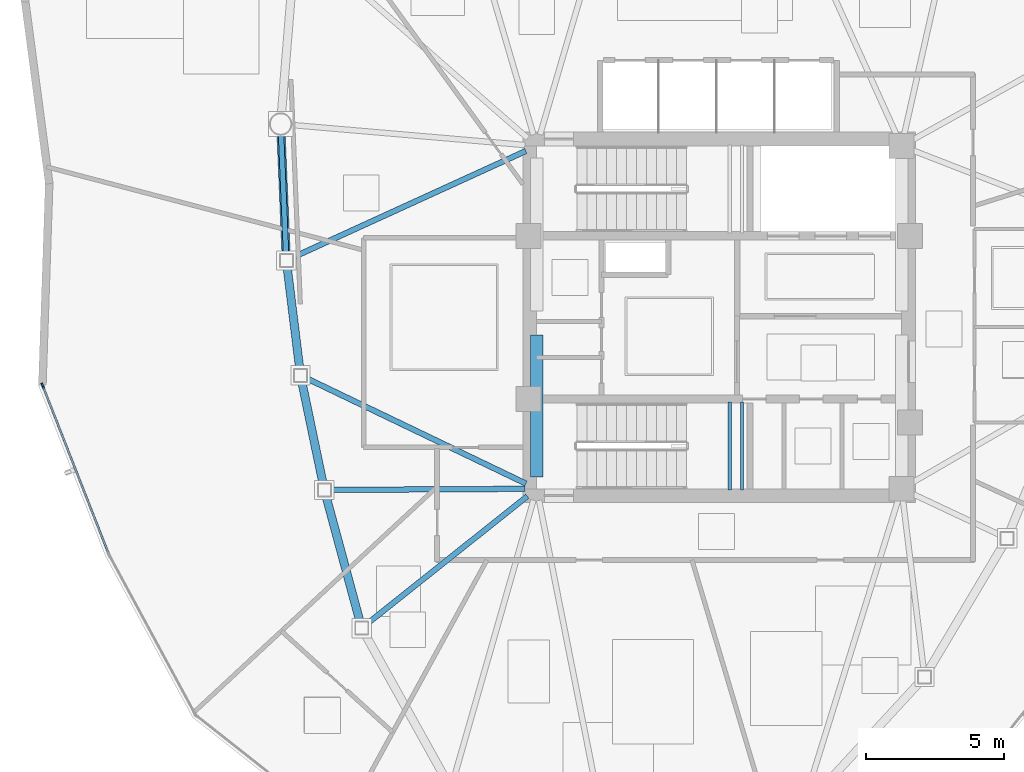
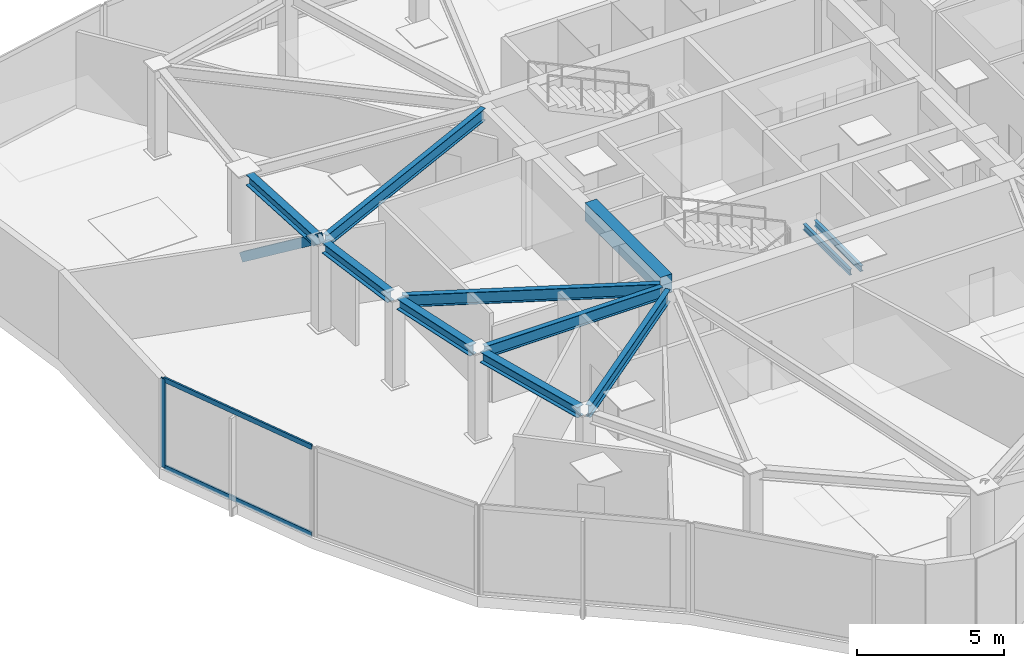
# One storey, part 3 of 14: 11 beams, 4 members, 1 element without a shape of its own.
"""IFC4 building model written with IfcOpenShell, lengths in metres."""

from ifc_helpers import new_model, si_unit, direction, frame, origin, origin_2d, place, context, subcontext, project, spatial, rectangle, hollow_rectangle, i_section, extrude, source, transform, mapped, material, layer, layer_set, material_profile, profile_set, type_object, type_shapes, element, aggregate, save


model = new_model("IFC4")

# Units and contexts
model_context = context("Model", 3, precision=1e-05, world=origin(), true_north=direction((0.0, 1.0)))
body_context = subcontext(model_context, "Body", "Model", "MODEL_VIEW")
ifc_project = project(units=[si_unit("LENGTHUNIT", "METRE"), si_unit("AREAUNIT", "SQUARE_METRE"), si_unit("VOLUMEUNIT", "CUBIC_METRE"), si_unit("PLANEANGLEUNIT", "RADIAN"), si_unit("MASSUNIT", "GRAM", prefix="KILO")], contexts=[model_context])

# Site, building, storey
site_placement = place(None, origin())
site = spatial("IfcSite", under=ifc_project, at=site_placement, CompositionType="ELEMENT")
building_placement = place(site_placement, origin())
building = spatial("IfcBuilding", under=site, at=building_placement, Name="Tavelor Broadcast Tower", CompositionType="ELEMENT")
storey_placement = place(building_placement, frame((0.0, 0.0, 273.5)))
storey = spatial("IfcBuildingStorey", under=building, at=storey_placement, Name="L65", CompositionType="ELEMENT", Elevation=273.5)

# Beams
ifc_material_1 = material(Name="Concrete C40/50", Category="concrete")
ifc_material_profile_1 = material_profile(ifc_material_1, rectangle(XDim=0.449951171875, YDim=0.75, at=origin_2d()), Name="RC 450x750")
ifc_profile_set_1 = profile_set([ifc_material_profile_1], Name="Concrete C40/50")
beam_type_1 = type_object("IfcBeamType", Name="Basement Core Trim Beam 450x750", PredefinedType="BEAM", material=ifc_profile_set_1)
beam_1_placement = place(storey_placement, frame((43.39990234375, 39.23193359375, 3.324951171875), z_axis=(0.0, 1.0, 0.0), x_axis=(-1.0, 0.0, 0.0)))
element("IfcBeam", 1, at=beam_1_placement, inside=storey, type_object=beam_type_1, Name="L65 Core West-S Tie Girder", PredefinedType="BEAM", context=body_context, shape_type="SweptSolid", body=[
    extrude(rectangle(XDim=0.449951171875, YDim=0.75, at=origin_2d()), origin(), (0.0, 0.0, 1.0), 5.135986328125),
])
ifc_material_2 = material(Name="Steel S355", Category="steel")
ifc_material_profile_2 = material_profile(ifc_material_2, i_section(OverallWidth=0.300048828125, OverallDepth=0.43994140625, WebThickness=0.011474609375, FlangeThickness=0.02099609375, at=origin_2d()), Name="HEA 450")
ifc_profile_set_2 = profile_set([ifc_material_profile_2], Name="Steel S355")
beam_type_2 = type_object("IfcBeamType", Name="Perimeter Spandrel Beam T7 HEA 450", PredefinedType="SPANDREL", material=ifc_profile_set_2)
beam_2_placement = place(storey_placement, frame((34.151123046875, 51.60595703125, 3.47998046875), z_axis=(0.041873296911, -0.999122928876, 0.0), x_axis=(0.999122928876, 0.041873296911, 0.0)))
element("IfcBeam", 2, at=beam_2_placement, inside=storey, type_object=beam_type_2, Name="L65 Framed-Tube Ring Spandrel 01", PredefinedType="SPANDREL", context=body_context, shape_type="SweptSolid", body=[
    extrude(i_section(OverallWidth=0.300048828125, OverallDepth=0.43994140625, WebThickness=0.011474609375, FlangeThickness=0.02099609375, at=origin_2d()), origin(), (0.0, 0.0, 1.0), 4.30859375),
])
beam_3_placement = place(storey_placement, frame((34.370849609375, 46.822998046875, 3.47998046875), z_axis=(0.122301764237, -0.992492961418, 0.0), x_axis=(0.992492961418, 0.122301764237, 0.0)))
element("IfcBeam", 3, at=beam_3_placement, inside=storey, type_object=beam_type_2, Name="L65 Framed-Tube Ring Spandrel 02", PredefinedType="SPANDREL", context=body_context, shape_type="SweptSolid", body=[
    extrude(i_section(OverallWidth=0.300048828125, OverallDepth=0.43994140625, WebThickness=0.011474609375, FlangeThickness=0.02099609375, at=origin_2d()), origin(), (0.0, 0.0, 1.0), 3.7109375),
])
beam_4_placement = place(storey_placement, frame((34.903076171875, 42.666748046875, 3.47998046875), z_axis=(0.203665911817, -0.979040446746, 0.0), x_axis=(0.979040446746, 0.203665911817, 0.0)))
element("IfcBeam", 4, at=beam_4_placement, inside=storey, type_object=beam_type_2, Name="L65 Framed-Tube Ring Spandrel 03", PredefinedType="SPANDREL", context=body_context, shape_type="SweptSolid", body=[
    extrude(i_section(OverallWidth=0.300048828125, OverallDepth=0.43994140625, WebThickness=0.011474609375, FlangeThickness=0.02099609375, at=origin_2d()), origin(), (0.0, 0.0, 1.0), 3.753173828125),
])
beam_5_placement = place(storey_placement, frame((35.779296875, 38.525390625, 3.47998046875), z_axis=(0.261032085305, -0.965330125108, 0.0), x_axis=(0.965330125108, 0.261032085305, 0.0)))
element("IfcBeam", 5, at=beam_5_placement, inside=storey, type_object=beam_type_2, Name="L65 Framed-Tube Ring Spandrel 04", PredefinedType="SPANDREL", context=body_context, shape_type="SweptSolid", body=[
    extrude(i_section(OverallWidth=0.300048828125, OverallDepth=0.43994140625, WebThickness=0.011474609375, FlangeThickness=0.02099609375, at=origin_2d()), origin(), (0.0, 0.0, 1.0), 4.697021484375),
])

# Member
ifc_material_profile_3 = material_profile(ifc_material_2, hollow_rectangle(XDim=0.199951171875, YDim=0.35009765625, WallThickness=0.01611328125, at=origin_2d()), Name="RHS 350x200x16")
ifc_profile_set_3 = profile_set([ifc_material_profile_3], Name="Steel S355")
member_type_1 = type_object("IfcMemberType", Name="Perimeter Tube Brace T7 RHS 350x200x16", PredefinedType="BRACE", material=ifc_profile_set_3)
member_1_placement = place(storey_placement, frame((34.134765625, 51.995849609375, 0.0), z_axis=(0.033508994779, -0.799626685339, 0.599561766095), x_axis=(0.999123106787, 0.041869051625, 0.0)))
element("IfcMember", 6, at=member_1_placement, inside=storey, type_object=member_type_1, Name="L65 Corner Tube Diagonal Brace 1", PredefinedType="BRACE", context=body_context, shape_type="SweptSolid", body=[
    extrude(hollow_rectangle(XDim=0.199951171875, YDim=0.35009765625, WallThickness=0.01611328125, at=origin_2d()), origin(), (0.0, 0.0, 1.0), 6.171142578125),
])

# Beams
ifc_material_profile_4 = material_profile(ifc_material_2, i_section(OverallWidth=0.199951171875, OverallDepth=0.5, WebThickness=0.01025390625, FlangeThickness=0.01611328125, at=origin_2d()), Name="IPE 500")
ifc_profile_set_4 = profile_set([ifc_material_profile_4], Name="Steel S355")
beam_type_3 = type_object("IfcBeamType", Name="Radial Floor Girder T7 IPE 500", PredefinedType="BEAM", material=ifc_profile_set_4)
beam_6_placement = place(storey_placement, frame((43.007080078125, 51.0205078125, 3.449951171875), z_axis=(-0.909555398284, -0.415582696285, 0.0), x_axis=(0.415582696285, -0.909555398284, 0.0)))
element("IfcBeam", 7, at=beam_6_placement, inside=storey, type_object=beam_type_3, Name="L65 Radial Primary Floor Girder 02", PredefinedType="BEAM", context=body_context, shape_type="SweptSolid", body=[
    extrude(i_section(OverallWidth=0.199951171875, OverallDepth=0.5, WebThickness=0.01025390625, FlangeThickness=0.01611328125, at=origin_2d()), origin(), (0.0, 0.0, 1.0), 9.287353515625),
])
beam_7_placement = place(storey_placement, frame((43.010498046875, 38.98681640625, 3.449951171875), z_axis=(-0.901529113374, 0.432718450888, 0.0), x_axis=(-0.432718450888, -0.901529113374, 0.0)))
element("IfcBeam", 8, at=beam_7_placement, inside=storey, type_object=beam_type_3, Name="L65 Radial Primary Floor Girder 03", PredefinedType="BEAM", context=body_context, shape_type="SweptSolid", body=[
    extrude(i_section(OverallWidth=0.199951171875, OverallDepth=0.5, WebThickness=0.01025390625, FlangeThickness=0.01611328125, at=origin_2d()), origin(), (0.0, 0.0, 1.0), 8.80712890625),
])
beam_8_placement = place(storey_placement, frame((42.968017578125, 38.797607421875, 3.449951171875), z_axis=(-0.999984286501, -0.005605956688, 0.0), x_axis=(0.005605956688, -0.999984286501, 0.0)))
element("IfcBeam", 9, at=beam_8_placement, inside=storey, type_object=beam_type_3, Name="L65 Radial Primary Floor Girder 04", PredefinedType="BEAM", context=body_context, shape_type="SweptSolid", body=[
    extrude(i_section(OverallWidth=0.199951171875, OverallDepth=0.5, WebThickness=0.01025390625, FlangeThickness=0.01611328125, at=origin_2d()), origin(), (0.0, 0.0, 1.0), 7.011474609375),
])
beam_9_placement = place(storey_placement, frame((43.06201171875, 38.531005859375, 3.449951171875), z_axis=(-0.782384634469, -0.622795539279, 0.0), x_axis=(0.622795539279, -0.782384634469, 0.0)))
element("IfcBeam", 10, at=beam_9_placement, inside=storey, type_object=beam_type_3, Name="L65 Radial Primary Floor Girder 05", PredefinedType="BEAM", context=body_context, shape_type="SweptSolid", body=[
    extrude(i_section(OverallWidth=0.199951171875, OverallDepth=0.5, WebThickness=0.01025390625, FlangeThickness=0.01611328125, at=origin_2d()), origin(), (0.0, 0.0, 1.0), 7.421142578125),
])
ifc_material_profile_5 = material_profile(ifc_material_2, i_section(OverallWidth=0.1201171875, OverallDepth=0.239990234375, WebThickness=0.006103515625, FlangeThickness=0.009765625, at=origin_2d()), Name="IPE 240")
ifc_profile_set_5 = profile_set([ifc_material_profile_5], Name="Steel S355")
beam_type_4 = type_object("IfcBeamType", Name="Stairwell Landing Support Trimmer Beam IPE240", PredefinedType="BEAM", material=ifc_profile_set_5)
for number, where, z_axis, x_axis, name in (
    (11, (50.385009765625, 38.760009765625, 1.68505859375), (0.0, 1.0, 0.0), (-1.0, 0.0, 0.0), "L65 Stair Landing Support Beam 385"),
    (12, (50.824951171875, 38.760009765625, 1.68505859375), (0.0, 1.0, 0.0), (-1.0, 0.0, 0.0), "L65 Stair Landing Support Beam 386"),
):
    element("IfcBeam", number, at=place(storey_placement, frame(where, z_axis=z_axis, x_axis=x_axis)), inside=storey, type_object=beam_type_4, Name=name, PredefinedType="BEAM", context=body_context, shape_type="SweptSolid", body=[
        extrude(i_section(OverallWidth=0.1201171875, OverallDepth=0.239990234375, WebThickness=0.006103515625, FlangeThickness=0.009765625, at=origin_2d()), origin(), (0.0, 0.0, 1.0), 3.179931640625),
    ])

# Curtain wall, members
ifc_material_3 = material(Name="Architectural Anodized Aluminium", Category="aluminium")
ifc_layer = layer(ifc_material_3, 0.199951171875)
ifc_layer_set = layer_set([ifc_layer], Name="Architectural Anodized Aluminium")
curtain_wall_type = type_object("IfcCurtainWallType", Name="Tower High-Zone Triple-Glazed Curtain Wall CW04", PredefinedType="NOTDEFINED", material=ifc_layer_set)
curtain_wall_placement = place(storey_placement, origin())
curtain_wall = element("IfcCurtainWall", 13, at=curtain_wall_placement, inside=storey, type_object=curtain_wall_type, Name="L65 Curtain Wall CW04 Run 709", PredefinedType="NOTDEFINED")
ifc_material_profile_6 = material_profile(ifc_material_3, hollow_rectangle(XDim=0.070068359375, YDim=0.199951171875, WallThickness=0.02197265625, at=origin_2d()), Name="RHS 70x200x22")
ifc_profile_set_6 = profile_set([ifc_material_profile_6], Name="Architectural Anodized Aluminium")
member_type_2 = type_object("IfcMemberType", Name="CW04 Extruded Aluminium Mullion 70x200", PredefinedType="MULLION", material=ifc_profile_set_6)
shared_shape_1 = source(origin(), body_context, "Body", "SweptSolid", [
    extrude(hollow_rectangle(XDim=0.070068359375, YDim=0.199951171875, WallThickness=0.02197265625, at=origin_2d()), origin(), (0.0, 0.0, 1.0), 3.699951171875),
])
type_shapes(member_type_2, [shared_shape_1])
member_2_placement = place(storey_placement, frame((25.525390625, 42.52978515625, 0.0), z_axis=(0.0, 0.0, 1.0), x_axis=(0.9308975247, 0.365280438166, 0.0)))
member_2 = element("IfcMember", 14, at=member_2_placement, type_object=member_type_2, Name="CW04 mullion 1", PredefinedType="MULLION", context=body_context, shape_type="MappedRepresentation", body=[
    mapped(shared_shape_1, transform((0.0, 0.0, 0.0), scale=1.0)),
])
ifc_material_profile_7 = material_profile(ifc_material_3, hollow_rectangle(XDim=0.070068359375, YDim=0.199951171875, WallThickness=0.02197265625, at=origin_2d()), Name="RHS 70x200x22")
ifc_profile_set_7 = profile_set([ifc_material_profile_7], Name="Architectural Anodized Aluminium")
member_type_3 = type_object("IfcMemberType", Name="CW04 Extruded Aluminium Transom 70x200", PredefinedType="USERDEFINED", material=ifc_profile_set_7)
shared_shape_2 = source(origin(), body_context, "Body", "SweptSolid", [
    extrude(hollow_rectangle(XDim=0.070068359375, YDim=0.199951171875, WallThickness=0.02197265625, at=origin_2d()), origin(), (0.0, 0.0, 1.0), 6.4404296875),
])
type_shapes(member_type_3, [shared_shape_2])
member_3_placement = place(storey_placement, frame((25.5380859375, 42.4970703125, 0.034912109375), z_axis=(0.365278208941, -0.930898399436, 0.0), x_axis=(0.930898399436, 0.365278208941, 0.0)))
member_3 = element("IfcMember", 15, at=member_3_placement, type_object=member_type_3, Name="CW04 transom 1.1", ObjectType="TRANSOM", PredefinedType="USERDEFINED", context=body_context, shape_type="MappedRepresentation", body=[
    mapped(shared_shape_2, transform((0.0, 0.0, 0.0), scale=1.0)),
])
member_4_placement = place(storey_placement, frame((25.5380859375, 42.4970703125, 3.6650390625), z_axis=(0.365278208941, -0.930898399436, 0.0), x_axis=(0.930898399436, 0.365278208941, 0.0)))
member_4 = element("IfcMember", 16, at=member_4_placement, type_object=member_type_3, Name="CW04 transom 1.2", ObjectType="TRANSOM", PredefinedType="USERDEFINED", context=body_context, shape_type="MappedRepresentation", body=[
    mapped(shared_shape_2, transform((0.0, 0.0, 0.0), scale=1.0)),
])
aggregate(curtain_wall, [member_2, member_3, member_4])

save(model, "model.ifc")
